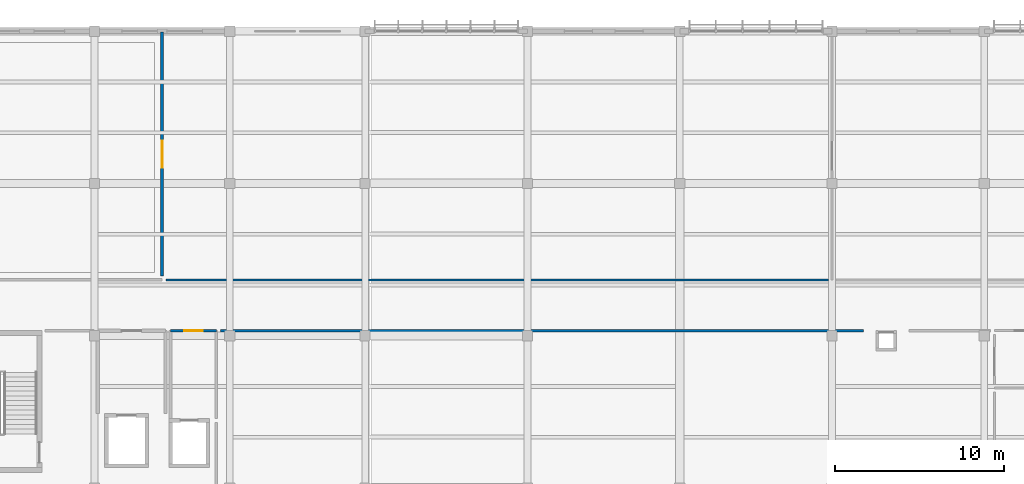
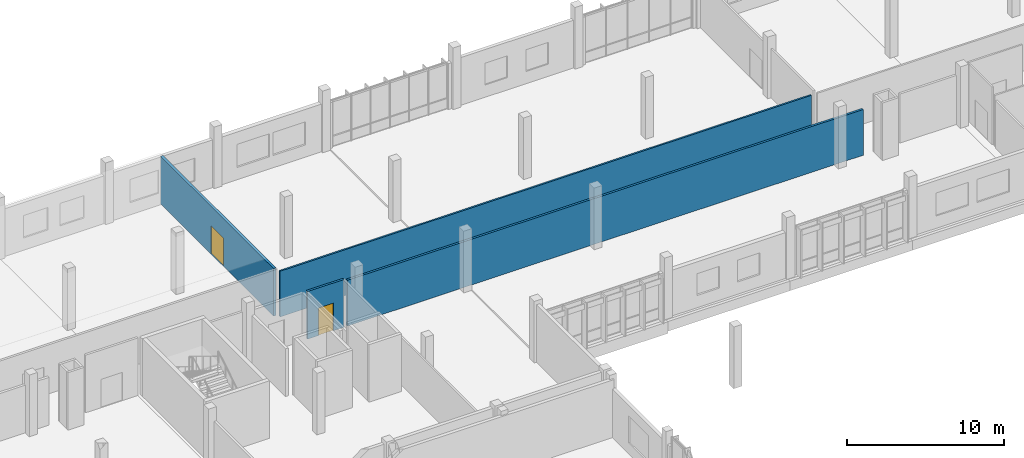
# One storey, part 154 of 177: 4 walls, 2 doors, 2 openings.
"""IFC4 building model written with IfcOpenShell, lengths in metres."""

from ifc_helpers import new_model, si_unit, direction, frame, frame_2d, origin, place, context, subcontext, project, spatial, rectangle, extrude, material, layer, layer_set, type_object, element, fill, save


model = new_model("IFC4")

# Units and contexts
model_context = context("Model", 3, precision=1e-05, world=origin(), true_north=direction((0.0, 1.0)))
body_context = subcontext(model_context, "Body", "Model", "MODEL_VIEW")
ifc_project = project(units=[si_unit("LENGTHUNIT", "METRE"), si_unit("AREAUNIT", "SQUARE_METRE"), si_unit("VOLUMEUNIT", "CUBIC_METRE"), si_unit("PLANEANGLEUNIT", "RADIAN"), si_unit("MASSUNIT", "GRAM", prefix="KILO")], contexts=[model_context])

# Site, building, storey
site_placement = place(None, origin())
site = spatial("IfcSite", under=ifc_project, at=site_placement, CompositionType="ELEMENT")
building_placement = place(site_placement, origin())
building = spatial("IfcBuilding", under=site, at=building_placement, Name="Chiffa Square Polytechnic", CompositionType="ELEMENT")
storey_placement = place(building_placement, frame((0.0, 0.0, 4.800048828125)))
storey = spatial("IfcBuildingStorey", under=building, at=storey_placement, Name="L01", CompositionType="ELEMENT", Elevation=4.800048828125)

# Wall
ifc_material_1 = material(Name="Gypsum board on steel stud", Category="steel")
ifc_layer_1 = layer(ifc_material_1, 0.125, Name="Gypsum board on steel stud")
ifc_layer_set_1 = layer_set([ifc_layer_1], Name="Gypsum board on steel stud")
wall_type_1 = type_object("IfcWallType", Name="WL-PART-125", PredefinedType="PARTITIONING", material=ifc_layer_set_1)
wall_1_placement = place(storey_placement, frame((36.219970703125, 116.10009765625, 0.0), z_axis=(0.0, 0.0, 1.0), x_axis=(1.0, 0.0, 0.0)))
element("IfcWall", 1, at=wall_1_placement, inside=storey, type_object=wall_type_1, Name="Interior partition WP-V5-L01-0359", PredefinedType="PARTITIONING", context=body_context, shape_type="SweptSolid", body=[
    extrude(rectangle(XDim=39.159912109375, YDim=0.125, at=frame_2d((19.580078125, 0.0))), origin(), (0.0, 0.0, 1.0), 3.56494140625),
])

# Wall, opening, door
ifc_material_2 = material(Name="Gypsum board on acoustic steel stud", Category="steel")
ifc_layer_2 = layer(ifc_material_2, 0.159912109375, Name="Gypsum board on acoustic steel stud")
ifc_layer_set_2 = layer_set([ifc_layer_2], Name="Gypsum board on acoustic steel stud")
wall_type_2 = type_object("IfcWallType", Name="WL-PART-EI60-160", PredefinedType="PARTITIONING", material=ifc_layer_set_2)
wall_2_placement = place(storey_placement, frame((36.5, 113.10009765625, 0.0), z_axis=(0.0, 0.0, 1.0), x_axis=(1.0, 0.0, 0.0)))
wall_2 = element("IfcWall", 2, at=wall_2_placement, inside=storey, type_object=wall_type_2, Name="Lift lobby rated enclosure WP-LOB-LP-V5A-L01-NORTH", PredefinedType="PARTITIONING", context=body_context, shape_type="SweptSolid", body=[
    extrude(rectangle(XDim=2.699951171875, YDim=0.159912109375, at=frame_2d((1.35009765625, 0.0))), origin(), (0.0, 0.0, 1.0), 3.71484375),
])
opening_1_placement = place(wall_2_placement, frame((0.800048828125, 0.0, 0.0)))
opening_1 = element("IfcOpeningElement", 3, at=opening_1_placement, cuts=wall_2, Name="Opening DI-L01-040", PredefinedType="OPENING", context=body_context, shape_type="SweptSolid", body=[
    extrude(rectangle(XDim=1.10009765625, YDim=2.14990234375, at=frame_2d((0.550048828125, 1.074951171875))), frame((0.0, 0.08984375, 0.0), z_axis=(0.0, -1.0, 0.0), x_axis=(1.0, 0.0, 0.0)), (0.0, 0.0, 1.0), 0.179931640625),
])
ifc_material_3 = material(Name="Solid core ash veneer door")
door_type_1 = type_object("IfcDoorType", Name="DR-INT-1100", OperationType="NOTDEFINED", PredefinedType="DOOR", material=ifc_material_3)
door_1_placement = place(opening_1_placement, origin())
door_1 = element("IfcDoor", 4, at=door_1_placement, inside=storey, type_object=door_type_1, Name="Lift lobby fire door DI-L01-040", OperationType="SINGLE_SWING_LEFT", OverallHeight=2.14990234375, OverallWidth=1.10009765625, PredefinedType="DOOR", context=body_context, shape_type="SweptSolid", body=[
    extrude(rectangle(XDim=1.10009765625, YDim=2.14990234375, at=frame_2d((0.550048828125, 1.074951171875))), frame((0.0, 0.02490234375, 0.0), z_axis=(0.0, -1.0, 0.0), x_axis=(1.0, 0.0, 0.0)), (0.0, 0.0, 1.0), 0.050048828125),
])
fill(opening_1, door_1)

# Wall
wall_3_placement = place(storey_placement, frame((39.43994140625, 113.10009765625, 0.0), z_axis=(0.0, 0.0, 1.0), x_axis=(1.0, 0.0, 0.0)))
element("IfcWall", 5, at=wall_3_placement, inside=storey, type_object=wall_type_2, Name="Interior partition WP-V5-L01-0340", PredefinedType="PARTITIONING", context=body_context, shape_type="SweptSolid", body=[
    extrude(rectangle(XDim=38.01416015625, YDim=0.159912109375, at=frame_2d((19.007080078125, 0.0))), origin(), (0.0, 0.0, 1.0), 3.56494140625),
])

# Wall, opening, door
ifc_material_4 = material(Name="Gypsum board on twin steel stud", Category="steel")
ifc_layer_3 = layer(ifc_material_4, 0.18505859375, Name="Gypsum board on twin steel stud")
ifc_layer_set_3 = layer_set([ifc_layer_3], Name="Gypsum board on twin steel stud")
wall_type_3 = type_object("IfcWallType", Name="WL-PART-EI90-185", PredefinedType="PARTITIONING", material=ifc_layer_set_3)
wall_4_placement = place(storey_placement, frame((36.0, 116.320068359375, 0.0), z_axis=(0.0, 0.0, 1.0), x_axis=(0.0, 1.0, 0.0)))
wall_4 = element("IfcWall", 6, at=wall_4_placement, inside=storey, type_object=wall_type_3, Name="Interior partition WP-V5-L01-0354", PredefinedType="PARTITIONING", context=body_context, shape_type="SweptSolid", body=[
    extrude(rectangle(XDim=14.425048828125, YDim=0.18505859375, at=frame_2d((7.21240234375, 0.0))), origin(), (0.0, 0.0, 1.0), 3.71484375),
])
opening_2_placement = place(wall_4_placement, frame((6.4130859375, 0.0, 0.0)))
opening_2 = element("IfcOpeningElement", 7, at=opening_2_placement, cuts=wall_4, Name="Opening DI-L01-152", PredefinedType="OPENING", context=body_context, shape_type="SweptSolid", body=[
    extrude(rectangle(XDim=1.60009765625, YDim=2.199951171875, at=frame_2d((0.800048828125, 1.10009765625))), frame((0.0, 0.1025390625, 0.0), z_axis=(0.0, -1.0, 0.0), x_axis=(1.0, 0.0, 0.0)), (0.0, 0.0, 1.0), 0.205078125),
])
ifc_material_5 = material(Name="Vision-panel timber laboratory door", Category="wood")
door_type_2 = type_object("IfcDoorType", Name="DR-LAB-DBL-1600", OperationType="DOUBLE_DOOR_SINGLE_SWING", PredefinedType="DOOR", material=ifc_material_5)
door_2_placement = place(opening_2_placement, origin())
door_2 = element("IfcDoor", 8, at=door_2_placement, inside=storey, type_object=door_type_2, Name="Interior room door DI-L01-152", OperationType="DOUBLE_DOOR_SINGLE_SWING", OverallHeight=2.199951171875, OverallWidth=1.60009765625, PredefinedType="DOOR", context=body_context, shape_type="SweptSolid", body=[
    extrude(rectangle(XDim=1.60009765625, YDim=2.199951171875, at=frame_2d((0.800048828125, 1.10009765625))), frame((0.0, 0.02490234375, 0.0), z_axis=(0.0, -1.0, 0.0), x_axis=(1.0, 0.0, 0.0)), (0.0, 0.0, 1.0), 0.050048828125),
])
fill(opening_2, door_2)

save(model, "model.ifc")
